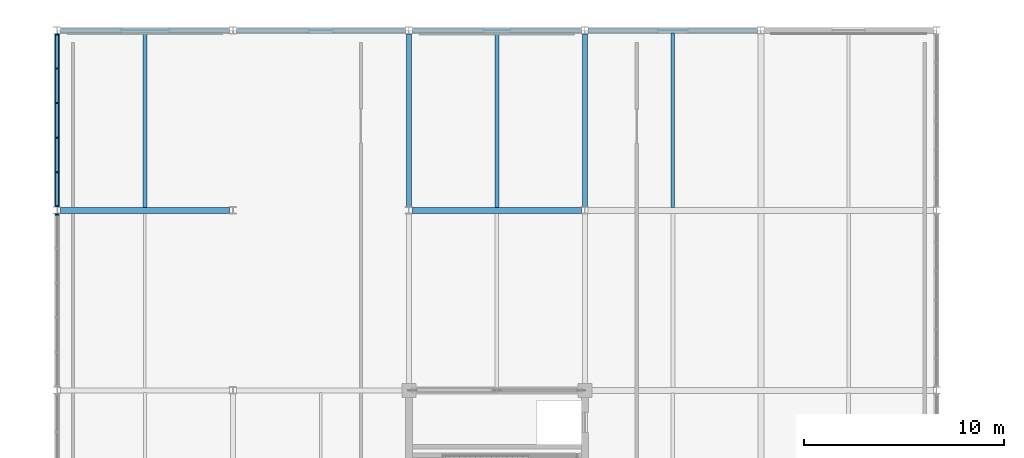
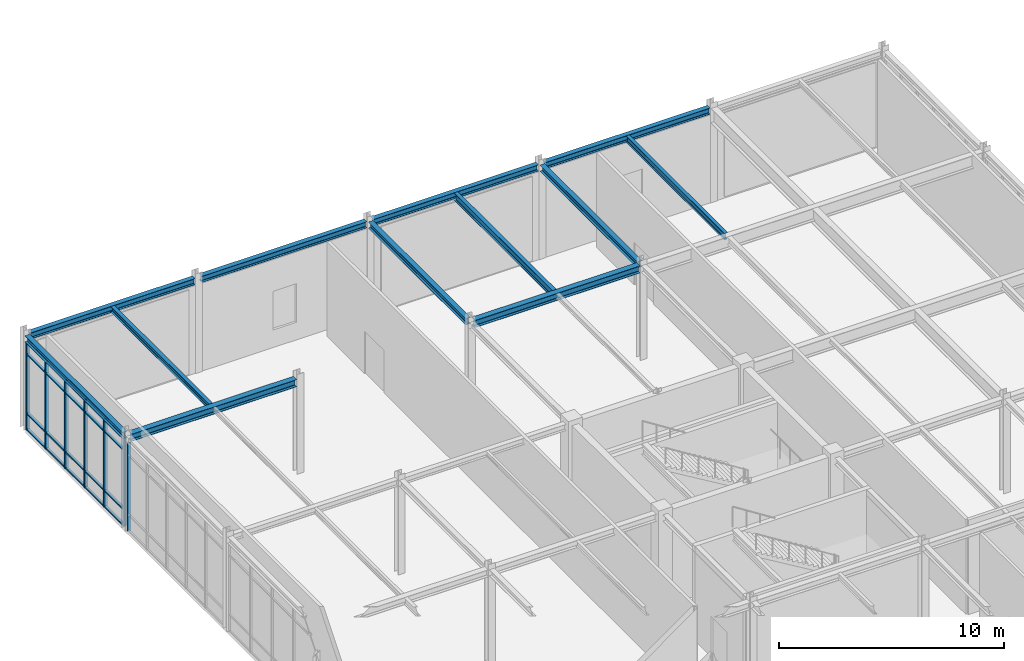
# One storey, part 44 of 108: 27 members, 12 beams, 2 elements without a shape of their own.
"""IFC4 building model written with IfcOpenShell, lengths in metres."""

import ifcopenshell
import ifcopenshell.guid

model = None  # the IFC model being written
_history = None  # IfcOwnerHistory: only IFC2X3 demands one
_inside = {}  # id of a spatial element -> (the spatial element, [elements in it])
_under = {}  # id of a project, library or spatial element -> (it, [spatial elements below it])
_declared = {}  # id of a project -> (the project, [libraries it declares])
_typed = {}  # id of a type object -> (the type object, [elements of that type])
_made_of = {}  # id of a material, layer set ... -> (it, [elements and type objects made of it])


def new_model(schema):
    """Start an empty IFC model of exactly this schema.

    Asked for "IFC4X3", IfcOpenShell would pick the latest addendum, in which some entities
    have other attributes; the version numbers below select the first issue.
    IFC2X3 requires an IfcOwnerHistory on every rooted entity: one is made here for all.
    """
    global model, _history
    if schema == "IFC4X3":
        model = ifcopenshell.file(schema_version=(4, 3, 0, 0))
    else:
        model = ifcopenshell.file(schema=schema)
    _inside.clear()
    _under.clear()
    _declared.clear()
    _typed.clear()
    _made_of.clear()
    _history = None
    if model.schema == "IFC2X3":
        org = make("IfcOrganization", Name="unknown")
        user = make(
            "IfcPersonAndOrganization",
            ThePerson=make("IfcPerson", FamilyName="unknown"),
            TheOrganization=org,
        )
        app = make(
            "IfcApplication",
            ApplicationDeveloper=org,
            Version="unknown",
            ApplicationFullName="unknown",
            ApplicationIdentifier="unknown",
        )
        _history = make(
            "IfcOwnerHistory",
            OwningUser=user,
            OwningApplication=app,
            ChangeAction="ADDED",
            CreationDate=0,
        )
    return model


def make(cls, **values):
    """One entity of the class cls with the attributes given. An attribute that is None is left unset."""
    return model.create_entity(
        cls, **{name: value for name, value in values.items() if value is not None}
    )


def rooted(cls, **values):
    """An entity with a GlobalId (a new one), such as an element, a storey or a relation."""
    return make(cls, GlobalId=ifcopenshell.guid.new(), OwnerHistory=_history, **values)


def si_unit(unit_type, name, prefix=None):
    """IfcSIUnit, for example si_unit("LENGTHUNIT", "METRE", prefix="MILLI")."""
    return make("IfcSIUnit", UnitType=unit_type, Prefix=prefix, Name=name)


def assignment(units):
    """IfcUnitAssignment: the units of a project."""
    return None if units is None else make("IfcUnitAssignment", Units=units)


def point(xyz):
    """IfcCartesianPoint."""
    return None if xyz is None else make("IfcCartesianPoint", Coordinates=xyz)


def direction(xyz):
    """IfcDirection."""
    return None if xyz is None else make("IfcDirection", DirectionRatios=xyz)


def frame(location, z_axis=None, x_axis=None):
    """IfcAxis2Placement3D, a coordinate frame: its origin and axes. An axis left out is left unset."""
    return make(
        "IfcAxis2Placement3D",
        Location=point(location),
        Axis=direction(z_axis),
        RefDirection=direction(x_axis),
    )


def frame_2d(location, x_axis=None):
    """IfcAxis2Placement2D, a coordinate frame in the plane: its origin and x axis."""
    return make(
        "IfcAxis2Placement2D", Location=point(location), RefDirection=direction(x_axis)
    )


def origin():
    """The frame at (0, 0, 0) with its axes left unset."""
    return frame((0.0, 0.0, 0.0))


def origin_2d():
    """The frame at (0, 0) in the plane with its x axis left unset."""
    return frame_2d((0.0, 0.0))


def place(relative_to, where):
    """IfcLocalPlacement: puts the frame where relative to a parent placement (None: the world)."""
    return make(
        "IfcLocalPlacement", PlacementRelTo=relative_to, RelativePlacement=where
    )


def context(
    kind, dimensions, precision=None, world=None, true_north=None, identifier=None
):
    """IfcGeometricRepresentationContext, for example the 3D "Model" context."""
    return make(
        "IfcGeometricRepresentationContext",
        ContextIdentifier=identifier,
        ContextType=kind,
        CoordinateSpaceDimension=dimensions,
        Precision=precision,
        WorldCoordinateSystem=world,
        TrueNorth=true_north,
    )


def subcontext(parent, identifier, kind, view, scale=None):
    """IfcGeometricRepresentationSubContext, for example "Body" below "Model"."""
    return make(
        "IfcGeometricRepresentationSubContext",
        ContextIdentifier=identifier,
        ContextType=kind,
        ParentContext=parent,
        TargetScale=scale,
        TargetView=view,
    )


def project(units=None, contexts=None):
    """IfcProject with its units and contexts."""
    return rooted(
        "IfcProject",
        Name="project",
        RepresentationContexts=contexts,
        UnitsInContext=assignment(units),
    )


def spatial(cls, under=None, at=None, **own):
    """A site, building, storey or space (cls), placed at a placement, below another one or the project."""
    s = rooted(cls, ObjectPlacement=at, **own)
    if under is not None:
        _under.setdefault(under.id(), (under, []))[1].append(s)
    return s


def profile(cls, at=None, kind="AREA", **sizes):
    """A parametric profile (cls). Its sizes go by their IFC names, for example OverallWidth=200.0."""
    return make(cls, ProfileType=kind, Position=at, **sizes)


def rectangle(**sizes):
    """IfcRectangleProfileDef."""
    return profile("IfcRectangleProfileDef", **sizes)


def i_section(**sizes):
    """IfcIShapeProfileDef."""
    return profile("IfcIShapeProfileDef", **sizes)


def extrude(swept, where, along, depth):
    """IfcExtrudedAreaSolid: the profile swept, set in the frame where, extruded along a direction by depth."""
    return make(
        "IfcExtrudedAreaSolid",
        SweptArea=swept,
        Position=where,
        ExtrudedDirection=direction(along),
        Depth=depth,
    )


def shape(context_of_items, identifier, shape_type, items):
    """IfcShapeRepresentation: the items that make up one representation, for example the "Body"."""
    return make(
        "IfcShapeRepresentation",
        ContextOfItems=context_of_items,
        RepresentationIdentifier=identifier,
        RepresentationType=shape_type,
        Items=items,
    )


def material(Name=None, Category=None):
    """IfcMaterial."""
    return make("IfcMaterial", Name=Name, Category=Category)


def material_profile(
    of_material, cross_section, Name=None, Category=None, Priority=None
):
    """IfcMaterialProfile: a cross section and its material."""
    return make(
        "IfcMaterialProfile",
        Name=Name,
        Material=of_material,
        Profile=cross_section,
        Priority=Priority,
        Category=Category,
    )


def profile_set(profiles, Name=None, composite=None):
    """IfcMaterialProfileSet."""
    return make(
        "IfcMaterialProfileSet",
        Name=Name,
        MaterialProfiles=profiles,
        CompositeProfile=composite,
    )


def made_of(thing, what):
    """Note that an element or type object is made of a material, layer set ...; save() writes the relation."""
    if what is not None:
        _made_of.setdefault(what.id(), (what, []))[1].append(thing)
    return thing


def type_object(cls, material=None, **own):
    """A type object (cls), such as IfcWallType, which elements share."""
    return made_of(rooted(cls, **own), material)


def element(
    cls,
    number,
    at=None,
    inside=None,
    cuts=None,
    type_object=None,
    material=None,
    context=None,
    identifier="Body",
    shape_type=None,
    held_by="IfcProductDefinitionShape",
    body=None,
    shapes=None,
    **own,
):
    """One element of the class cls, such as IfcWall. Its Tag is "e" and its number.

    at: its placement. inside: the storey or other place that contains it. cuts: it is an
    opening in that element (IfcRelVoidsElement). A single representation is given by context,
    identifier, shape_type and body (its items); several are given by shapes. held_by: the class
    of the entity that holds the representations. save() writes the other relations.
    """
    e = rooted(cls, Tag="e%d" % number, ObjectPlacement=at, **own)
    if body is not None:
        shapes = [shape(context, identifier, shape_type, body)]
    if shapes is not None:
        e.Representation = make(held_by, Representations=shapes)
    if inside is not None:
        _inside.setdefault(inside.id(), (inside, []))[1].append(e)
    if cuts is not None:
        rooted(
            "IfcRelVoidsElement", RelatingBuildingElement=cuts, RelatedOpeningElement=e
        )
    if type_object is not None:
        _typed.setdefault(type_object.id(), (type_object, []))[1].append(e)
    return made_of(e, material)


def aggregate(whole, parts):
    """IfcRelAggregates: a whole, such as a stair, and the parts it consists of."""
    return rooted("IfcRelAggregates", RelatingObject=whole, RelatedObjects=parts)


def save(model, path):
    """Write the relations noted so far, then the file.

    IfcRelAggregates (storeys below a building ...), IfcRelContainedInSpatialStructure (elements
    in a storey), IfcRelDefinesByType, IfcRelAssociatesMaterial and IfcRelDeclares: one each for
    every whole, place, type object, material and project.
    """
    for whole, parts in _under.values():
        aggregate(whole, parts)
    for where, things in _inside.values():
        rooted(
            "IfcRelContainedInSpatialStructure",
            RelatedElements=things,
            RelatingStructure=where,
        )
    for kind, things in _typed.values():
        rooted("IfcRelDefinesByType", RelatedObjects=things, RelatingType=kind)
    for what, things in _made_of.values():
        rooted("IfcRelAssociatesMaterial", RelatedObjects=things, RelatingMaterial=what)
    for by, libraries in _declared.values():
        rooted("IfcRelDeclares", RelatingContext=by, RelatedDefinitions=libraries)
    model.write(path)


model = new_model("IFC4")

# Units and contexts
model_context = context("Model", 3, precision=1e-05, world=origin(), true_north=direction((0.0, 1.0)))
body_context = subcontext(model_context, "Body", "Model", "MODEL_VIEW")
ifc_project = project(units=[si_unit("LENGTHUNIT", "METRE"), si_unit("AREAUNIT", "SQUARE_METRE"), si_unit("VOLUMEUNIT", "CUBIC_METRE"), si_unit("PLANEANGLEUNIT", "RADIAN"), si_unit("MASSUNIT", "GRAM", prefix="KILO")], contexts=[model_context])

# Site, building, storey
site_placement = place(None, origin())
site = spatial("IfcSite", under=ifc_project, at=site_placement, CompositionType="ELEMENT")
building_placement = place(site_placement, origin())
building = spatial("IfcBuilding", under=site, at=building_placement, Name="Zhaolan Boulevard Law Courts", CompositionType="ELEMENT")
storey_placement = place(building_placement, frame((0.0, 0.0, 10.800048828125)))
storey = spatial("IfcBuildingStorey", under=building, at=storey_placement, Name="L02", CompositionType="ELEMENT", Elevation=10.800048828125)

# Curtain wall, member
ifc_material_1 = material(Name="Thermally broken aluminium and low-E glazing", Category="aluminium")
curtain_wall_type_1 = type_object("IfcCurtainWallType", Name="CURTAIN WALL M21", PredefinedType="USERDEFINED", material=ifc_material_1)
curtain_wall_1_placement = place(storey_placement, origin())
curtain_wall_1 = element("IfcCurtainWall", 1, at=curtain_wall_1_placement, inside=storey, type_object=curtain_wall_type_1, Name="Curtain Wall CW-L02-117", ObjectType="CURTAIN WALL", PredefinedType="USERDEFINED")
ifc_material_2 = material(Name="Fluorocarbon-coated aluminium 6063-T6", Category="aluminium")
ifc_material_profile_1 = material_profile(ifc_material_2, rectangle(XDim=0.179931640625, YDim=0.06494140625, at=origin_2d()), Name="AL65x180")
ifc_profile_set_1 = profile_set([ifc_material_profile_1], Name="Fluorocarbon-coated aluminium 6063-T6")
member_type_1 = type_object("IfcMemberType", Name="CWMULLION 65X180", PredefinedType="MULLION", material=ifc_profile_set_1)
member_1_placement = place(storey_placement, frame((0.0, 102.79052734375, 0.0), z_axis=(0.0, 0.0, 1.0), x_axis=(1.0, 0.0, 0.0)))
member_1 = element("IfcMember", 2, at=member_1_placement, type_object=member_type_1, Name="CW-L02-117 mullion 1", PredefinedType="MULLION", context=body_context, shape_type="SweptSolid", body=[
    extrude(rectangle(XDim=0.179931640625, YDim=0.06494140625, at=origin_2d()), origin(), (0.0, 0.0, 1.0), 4.762939453125),
])
aggregate(curtain_wall_1, [member_1])

# Curtain wall, members
ifc_material_3 = material(Name="Thermally broken aluminium and low-E glazing", Category="aluminium")
curtain_wall_type_2 = type_object("IfcCurtainWallType", Name="CURTAIN WALL M22", PredefinedType="USERDEFINED", material=ifc_material_3)
curtain_wall_2_placement = place(storey_placement, origin())
curtain_wall_2 = element("IfcCurtainWall", 3, at=curtain_wall_2_placement, inside=storey, type_object=curtain_wall_type_2, Name="Curtain Wall CW-L02-118", ObjectType="CURTAIN WALL", PredefinedType="USERDEFINED")
member_2_placement = place(storey_placement, frame((0.0, 111.79052734375, 0.0), z_axis=(0.0, 0.0, 1.0), x_axis=(1.0, 0.0, 0.0)))
member_2 = element("IfcMember", 4, at=member_2_placement, type_object=member_type_1, Name="CW-L02-118 mullion 1", PredefinedType="MULLION", context=body_context, shape_type="SweptSolid", body=[
    extrude(rectangle(XDim=0.179931640625, YDim=0.06494140625, at=origin_2d()), origin(), (0.0, 0.0, 1.0), 4.762939453125),
])
member_3_placement = place(storey_placement, frame((0.0, 110.09375, 0.0), z_axis=(0.0, 0.0, 1.0), x_axis=(1.0, 0.0, 0.0)))
member_3 = element("IfcMember", 5, at=member_3_placement, type_object=member_type_1, Name="CW-L02-118 mullion 2", PredefinedType="MULLION", context=body_context, shape_type="SweptSolid", body=[
    extrude(rectangle(XDim=0.179931640625, YDim=0.06494140625, at=origin_2d()), origin(), (0.0, 0.0, 1.0), 4.762939453125),
])
member_4_placement = place(storey_placement, frame((0.0, 108.364501953125, 0.0), z_axis=(0.0, 0.0, 1.0), x_axis=(1.0, 0.0, 0.0)))
member_4 = element("IfcMember", 6, at=member_4_placement, type_object=member_type_1, Name="CW-L02-118 mullion 3", PredefinedType="MULLION", context=body_context, shape_type="SweptSolid", body=[
    extrude(rectangle(XDim=0.179931640625, YDim=0.06494140625, at=origin_2d()), origin(), (0.0, 0.0, 1.0), 4.762939453125),
])
member_5_placement = place(storey_placement, frame((0.0, 106.635498046875, 0.0), z_axis=(0.0, 0.0, 1.0), x_axis=(1.0, 0.0, 0.0)))
member_5 = element("IfcMember", 7, at=member_5_placement, type_object=member_type_1, Name="CW-L02-118 mullion 4", PredefinedType="MULLION", context=body_context, shape_type="SweptSolid", body=[
    extrude(rectangle(XDim=0.179931640625, YDim=0.06494140625, at=origin_2d()), origin(), (0.0, 0.0, 1.0), 4.762939453125),
])
member_6_placement = place(storey_placement, frame((0.0, 104.90625, 0.0), z_axis=(0.0, 0.0, 1.0), x_axis=(1.0, 0.0, 0.0)))
member_6 = element("IfcMember", 8, at=member_6_placement, type_object=member_type_1, Name="CW-L02-118 mullion 5", PredefinedType="MULLION", context=body_context, shape_type="SweptSolid", body=[
    extrude(rectangle(XDim=0.179931640625, YDim=0.06494140625, at=origin_2d()), origin(), (0.0, 0.0, 1.0), 4.762939453125),
])
member_7_placement = place(storey_placement, frame((0.0, 103.20947265625, 0.0), z_axis=(0.0, 0.0, 1.0), x_axis=(1.0, 0.0, 0.0)))
member_7 = element("IfcMember", 9, at=member_7_placement, type_object=member_type_1, Name="CW-L02-118 mullion 6", PredefinedType="MULLION", context=body_context, shape_type="SweptSolid", body=[
    extrude(rectangle(XDim=0.179931640625, YDim=0.06494140625, at=origin_2d()), origin(), (0.0, 0.0, 1.0), 4.762939453125),
])
ifc_material_4 = material(Name="Fluorocarbon-coated aluminium 6063-T6", Category="aluminium")
ifc_material_profile_2 = material_profile(ifc_material_4, rectangle(XDim=0.139892578125, YDim=0.06494140625, at=origin_2d()), Name="AL65x140")
ifc_profile_set_2 = profile_set([ifc_material_profile_2], Name="Fluorocarbon-coated aluminium 6063-T6")
member_type_2 = type_object("IfcMemberType", Name="CWTRANSOM 65X140", PredefinedType="USERDEFINED", material=ifc_profile_set_2)
member_8_placement = place(storey_placement, frame((0.0, 111.758056640625, 0.032470703125), z_axis=(0.0, -1.0, 0.0), x_axis=(1.0, 0.0, 0.0)))
member_8 = element("IfcMember", 10, at=member_8_placement, type_object=member_type_2, Name="CW-L02-118 transom 1.1", ObjectType="TRANSOM", PredefinedType="USERDEFINED", context=body_context, shape_type="SweptSolid", body=[
    extrude(rectangle(XDim=0.139892578125, YDim=0.06494140625, at=origin_2d()), origin(), (0.0, 0.0, 1.0), 1.6318359375),
])
member_9_placement = place(storey_placement, frame((0.0, 111.758056640625, 0.89990234375), z_axis=(0.0, -1.0, 0.0), x_axis=(1.0, 0.0, 0.0)))
member_9 = element("IfcMember", 11, at=member_9_placement, type_object=member_type_2, Name="CW-L02-118 transom 1.2", ObjectType="TRANSOM", PredefinedType="USERDEFINED", context=body_context, shape_type="SweptSolid", body=[
    extrude(rectangle(XDim=0.139892578125, YDim=0.06494140625, at=origin_2d()), origin(), (0.0, 0.0, 1.0), 1.6318359375),
])
member_10_placement = place(storey_placement, frame((0.0, 111.758056640625, 4.113037109375), z_axis=(0.0, -1.0, 0.0), x_axis=(1.0, 0.0, 0.0)))
member_10 = element("IfcMember", 12, at=member_10_placement, type_object=member_type_2, Name="CW-L02-118 transom 1.3", ObjectType="TRANSOM", PredefinedType="USERDEFINED", context=body_context, shape_type="SweptSolid", body=[
    extrude(rectangle(XDim=0.139892578125, YDim=0.06494140625, at=origin_2d()), origin(), (0.0, 0.0, 1.0), 1.6318359375),
])
member_11_placement = place(storey_placement, frame((0.0, 111.758056640625, 4.73046875), z_axis=(0.0, -1.0, 0.0), x_axis=(1.0, 0.0, 0.0)))
member_11 = element("IfcMember", 13, at=member_11_placement, type_object=member_type_2, Name="CW-L02-118 transom 1.4", ObjectType="TRANSOM", PredefinedType="USERDEFINED", context=body_context, shape_type="SweptSolid", body=[
    extrude(rectangle(XDim=0.139892578125, YDim=0.06494140625, at=origin_2d()), origin(), (0.0, 0.0, 1.0), 1.6318359375),
])
member_12_placement = place(storey_placement, frame((0.0, 110.061279296875, 0.032470703125), z_axis=(0.0, -1.0, 0.0), x_axis=(1.0, 0.0, 0.0)))
member_12 = element("IfcMember", 14, at=member_12_placement, type_object=member_type_2, Name="CW-L02-118 transom 2.1", ObjectType="TRANSOM", PredefinedType="USERDEFINED", context=body_context, shape_type="SweptSolid", body=[
    extrude(rectangle(XDim=0.139892578125, YDim=0.06494140625, at=origin_2d()), origin(), (0.0, 0.0, 1.0), 1.6640625),
])
member_13_placement = place(storey_placement, frame((0.0, 110.061279296875, 0.89990234375), z_axis=(0.0, -1.0, 0.0), x_axis=(1.0, 0.0, 0.0)))
member_13 = element("IfcMember", 15, at=member_13_placement, type_object=member_type_2, Name="CW-L02-118 transom 2.2", ObjectType="TRANSOM", PredefinedType="USERDEFINED", context=body_context, shape_type="SweptSolid", body=[
    extrude(rectangle(XDim=0.139892578125, YDim=0.06494140625, at=origin_2d()), origin(), (0.0, 0.0, 1.0), 1.6640625),
])
member_14_placement = place(storey_placement, frame((0.0, 110.061279296875, 4.113037109375), z_axis=(0.0, -1.0, 0.0), x_axis=(1.0, 0.0, 0.0)))
member_14 = element("IfcMember", 16, at=member_14_placement, type_object=member_type_2, Name="CW-L02-118 transom 2.3", ObjectType="TRANSOM", PredefinedType="USERDEFINED", context=body_context, shape_type="SweptSolid", body=[
    extrude(rectangle(XDim=0.139892578125, YDim=0.06494140625, at=origin_2d()), origin(), (0.0, 0.0, 1.0), 1.6640625),
])
member_15_placement = place(storey_placement, frame((0.0, 110.061279296875, 4.73046875), z_axis=(0.0, -1.0, 0.0), x_axis=(1.0, 0.0, 0.0)))
member_15 = element("IfcMember", 17, at=member_15_placement, type_object=member_type_2, Name="CW-L02-118 transom 2.4", ObjectType="TRANSOM", PredefinedType="USERDEFINED", context=body_context, shape_type="SweptSolid", body=[
    extrude(rectangle(XDim=0.139892578125, YDim=0.06494140625, at=origin_2d()), origin(), (0.0, 0.0, 1.0), 1.6640625),
])
member_16_placement = place(storey_placement, frame((0.0, 108.33203125, 0.032470703125), z_axis=(0.0, -1.0, 0.0), x_axis=(1.0, 0.0, 0.0)))
member_16 = element("IfcMember", 18, at=member_16_placement, type_object=member_type_2, Name="CW-L02-118 transom 3.1", ObjectType="TRANSOM", PredefinedType="USERDEFINED", context=body_context, shape_type="SweptSolid", body=[
    extrude(rectangle(XDim=0.139892578125, YDim=0.06494140625, at=origin_2d()), origin(), (0.0, 0.0, 1.0), 1.6640625),
])
member_17_placement = place(storey_placement, frame((0.0, 108.33203125, 0.89990234375), z_axis=(0.0, -1.0, 0.0), x_axis=(1.0, 0.0, 0.0)))
member_17 = element("IfcMember", 19, at=member_17_placement, type_object=member_type_2, Name="CW-L02-118 transom 3.2", ObjectType="TRANSOM", PredefinedType="USERDEFINED", context=body_context, shape_type="SweptSolid", body=[
    extrude(rectangle(XDim=0.139892578125, YDim=0.06494140625, at=origin_2d()), origin(), (0.0, 0.0, 1.0), 1.6640625),
])
member_18_placement = place(storey_placement, frame((0.0, 108.33203125, 4.113037109375), z_axis=(0.0, -1.0, 0.0), x_axis=(1.0, 0.0, 0.0)))
member_18 = element("IfcMember", 20, at=member_18_placement, type_object=member_type_2, Name="CW-L02-118 transom 3.3", ObjectType="TRANSOM", PredefinedType="USERDEFINED", context=body_context, shape_type="SweptSolid", body=[
    extrude(rectangle(XDim=0.139892578125, YDim=0.06494140625, at=origin_2d()), origin(), (0.0, 0.0, 1.0), 1.6640625),
])
member_19_placement = place(storey_placement, frame((0.0, 108.33203125, 4.73046875), z_axis=(0.0, -1.0, 0.0), x_axis=(1.0, 0.0, 0.0)))
member_19 = element("IfcMember", 21, at=member_19_placement, type_object=member_type_2, Name="CW-L02-118 transom 3.4", ObjectType="TRANSOM", PredefinedType="USERDEFINED", context=body_context, shape_type="SweptSolid", body=[
    extrude(rectangle(XDim=0.139892578125, YDim=0.06494140625, at=origin_2d()), origin(), (0.0, 0.0, 1.0), 1.6640625),
])
member_20_placement = place(storey_placement, frame((0.0, 106.602783203125, 0.032470703125), z_axis=(0.0, -1.0, 0.0), x_axis=(1.0, 0.0, 0.0)))
member_20 = element("IfcMember", 22, at=member_20_placement, type_object=member_type_2, Name="CW-L02-118 transom 4.1", ObjectType="TRANSOM", PredefinedType="USERDEFINED", context=body_context, shape_type="SweptSolid", body=[
    extrude(rectangle(XDim=0.139892578125, YDim=0.06494140625, at=origin_2d()), origin(), (0.0, 0.0, 1.0), 1.6640625),
])
member_21_placement = place(storey_placement, frame((0.0, 106.602783203125, 0.89990234375), z_axis=(0.0, -1.0, 0.0), x_axis=(1.0, 0.0, 0.0)))
member_21 = element("IfcMember", 23, at=member_21_placement, type_object=member_type_2, Name="CW-L02-118 transom 4.2", ObjectType="TRANSOM", PredefinedType="USERDEFINED", context=body_context, shape_type="SweptSolid", body=[
    extrude(rectangle(XDim=0.139892578125, YDim=0.06494140625, at=origin_2d()), origin(), (0.0, 0.0, 1.0), 1.6640625),
])
member_22_placement = place(storey_placement, frame((0.0, 106.602783203125, 4.113037109375), z_axis=(0.0, -1.0, 0.0), x_axis=(1.0, 0.0, 0.0)))
member_22 = element("IfcMember", 24, at=member_22_placement, type_object=member_type_2, Name="CW-L02-118 transom 4.3", ObjectType="TRANSOM", PredefinedType="USERDEFINED", context=body_context, shape_type="SweptSolid", body=[
    extrude(rectangle(XDim=0.139892578125, YDim=0.06494140625, at=origin_2d()), origin(), (0.0, 0.0, 1.0), 1.6640625),
])
member_23_placement = place(storey_placement, frame((0.0, 106.602783203125, 4.73046875), z_axis=(0.0, -1.0, 0.0), x_axis=(1.0, 0.0, 0.0)))
member_23 = element("IfcMember", 25, at=member_23_placement, type_object=member_type_2, Name="CW-L02-118 transom 4.4", ObjectType="TRANSOM", PredefinedType="USERDEFINED", context=body_context, shape_type="SweptSolid", body=[
    extrude(rectangle(XDim=0.139892578125, YDim=0.06494140625, at=origin_2d()), origin(), (0.0, 0.0, 1.0), 1.6640625),
])
member_24_placement = place(storey_placement, frame((0.0, 104.873779296875, 0.032470703125), z_axis=(0.0, -1.0, 0.0), x_axis=(1.0, 0.0, 0.0)))
member_24 = element("IfcMember", 26, at=member_24_placement, type_object=member_type_2, Name="CW-L02-118 transom 5.1", ObjectType="TRANSOM", PredefinedType="USERDEFINED", context=body_context, shape_type="SweptSolid", body=[
    extrude(rectangle(XDim=0.139892578125, YDim=0.06494140625, at=origin_2d()), origin(), (0.0, 0.0, 1.0), 1.6318359375),
])
member_25_placement = place(storey_placement, frame((0.0, 104.873779296875, 0.89990234375), z_axis=(0.0, -1.0, 0.0), x_axis=(1.0, 0.0, 0.0)))
member_25 = element("IfcMember", 27, at=member_25_placement, type_object=member_type_2, Name="CW-L02-118 transom 5.2", ObjectType="TRANSOM", PredefinedType="USERDEFINED", context=body_context, shape_type="SweptSolid", body=[
    extrude(rectangle(XDim=0.139892578125, YDim=0.06494140625, at=origin_2d()), origin(), (0.0, 0.0, 1.0), 1.6318359375),
])
member_26_placement = place(storey_placement, frame((0.0, 104.873779296875, 4.113037109375), z_axis=(0.0, -1.0, 0.0), x_axis=(1.0, 0.0, 0.0)))
member_26 = element("IfcMember", 28, at=member_26_placement, type_object=member_type_2, Name="CW-L02-118 transom 5.3", ObjectType="TRANSOM", PredefinedType="USERDEFINED", context=body_context, shape_type="SweptSolid", body=[
    extrude(rectangle(XDim=0.139892578125, YDim=0.06494140625, at=origin_2d()), origin(), (0.0, 0.0, 1.0), 1.6318359375),
])
member_27_placement = place(storey_placement, frame((0.0, 104.873779296875, 4.73046875), z_axis=(0.0, -1.0, 0.0), x_axis=(1.0, 0.0, 0.0)))
member_27 = element("IfcMember", 29, at=member_27_placement, type_object=member_type_2, Name="CW-L02-118 transom 5.4", ObjectType="TRANSOM", PredefinedType="USERDEFINED", context=body_context, shape_type="SweptSolid", body=[
    extrude(rectangle(XDim=0.139892578125, YDim=0.06494140625, at=origin_2d()), origin(), (0.0, 0.0, 1.0), 1.6318359375),
])
aggregate(curtain_wall_2, [member_2, member_3, member_4, member_5, member_6, member_7, member_8, member_9, member_10, member_11, member_12, member_13, member_14, member_15, member_16, member_17, member_18, member_19, member_20, member_21, member_22, member_23, member_24, member_25, member_26, member_27])

# Beams
ifc_material_5 = material(Name="Structural steel Q355B", Category="steel")
ifc_material_profile_3 = material_profile(ifc_material_5, i_section(OverallWidth=0.25, OverallDepth=0.340087890625, WebThickness=0.009033203125, FlangeThickness=0.013916015625, FilletRadius=0.01611328125, at=origin_2d()), Name="HM340x250")
ifc_profile_set_3 = profile_set([ifc_material_profile_3], Name="Structural steel Q355B")
beam_type_1 = type_object("IfcBeamType", Name="GIRDER HM340", PredefinedType="BEAM", material=ifc_profile_set_3)
for number, where, z_axis, x_axis, name in (
    (30, (0.0, 103.1708984375, 4.947998046875), (0.0, 1.0, 0.0), (-1.0, 0.0, 0.0), "Beam BY-L03-1-P-Q"),
    (31, (17.60009765625, 103.1708984375, 4.947998046875), (0.0, 1.0, 0.0), (-1.0, 0.0, 0.0), "Beam BY-L03-3-P-Q"),
    (32, (26.39990234375, 103.1708984375, 4.947998046875), (0.0, 1.0, 0.0), (-1.0, 0.0, 0.0), "Beam BY-L03-4-P-Q"),
):
    element("IfcBeam", number, at=place(storey_placement, frame(where, z_axis=z_axis, x_axis=x_axis)), inside=storey, type_object=beam_type_1, Name=name, PredefinedType="BEAM", context=body_context, shape_type="SweptSolid", body=[
        extrude(i_section(OverallWidth=0.25, OverallDepth=0.340087890625, WebThickness=0.009033203125, FlangeThickness=0.013916015625, FilletRadius=0.01611328125, at=origin_2d()), origin(), (0.0, 0.0, 1.0), 8.658203125),
    ])
ifc_material_6 = material(Name="Structural steel Q355B", Category="steel")
ifc_material_profile_4 = material_profile(ifc_material_6, i_section(OverallWidth=0.300048828125, OverallDepth=0.389892578125, WebThickness=0.010009765625, FlangeThickness=0.01611328125, FilletRadius=0.01806640625, at=origin_2d()), Name="HM390x300")
ifc_profile_set_4 = profile_set([ifc_material_profile_4], Name="Structural steel Q355B")
beam_type_2 = type_object("IfcBeamType", Name="GIRDER HM390", PredefinedType="BEAM", material=ifc_profile_set_4)
for number, where, z_axis, x_axis, name in (
    (33, (0.1708984375, 103.0, 4.9228515625), (1.0, 0.0, 0.0), (0.0, 1.0, 0.0), "Beam BX-L03-1-2-P"),
    (34, (17.77099609375, 103.0, 4.9228515625), (1.0, 0.0, 0.0), (0.0, 1.0, 0.0), "Beam BX-L03-3-4-P"),
):
    element("IfcBeam", number, at=place(storey_placement, frame(where, z_axis=z_axis, x_axis=x_axis)), inside=storey, type_object=beam_type_2, Name=name, PredefinedType="BEAM", context=body_context, shape_type="SweptSolid", body=[
        extrude(i_section(OverallWidth=0.300048828125, OverallDepth=0.389892578125, WebThickness=0.010009765625, FlangeThickness=0.01611328125, FilletRadius=0.01806640625, at=origin_2d()), origin(), (0.0, 0.0, 1.0), 8.4580078125),
    ])
ifc_material_7 = material(Name="Structural steel Q355B", Category="steel")
ifc_material_profile_5 = material_profile(ifc_material_7, i_section(OverallWidth=0.199951171875, OverallDepth=0.2939453125, WebThickness=0.008056640625, FlangeThickness=0.011962890625, FilletRadius=0.01611328125, at=origin_2d()), Name="HM294x200")
ifc_profile_set_5 = profile_set([ifc_material_profile_5], Name="Structural steel Q355B")
beam_type_3 = type_object("IfcBeamType", Name="JOIST HM294", PredefinedType="JOIST", material=ifc_profile_set_5)
beam_1_placement = place(storey_placement, frame((4.39990234375, 103.14599609375, 4.970947265625), z_axis=(0.0, 1.0, 0.0), x_axis=(-1.0, 0.0, 0.0)))
element("IfcBeam", 35, at=beam_1_placement, inside=storey, type_object=beam_type_3, Name="Composite Joist J-L03-1P", PredefinedType="JOIST", context=body_context, shape_type="SweptSolid", body=[
    extrude(i_section(OverallWidth=0.199951171875, OverallDepth=0.2939453125, WebThickness=0.008056640625, FlangeThickness=0.011962890625, FilletRadius=0.01611328125, at=origin_2d()), origin(), (0.0, 0.0, 1.0), 8.73291015625),
])
ifc_material_8 = material(Name="Structural steel Q355B", Category="steel")
ifc_material_profile_6 = material_profile(ifc_material_8, i_section(OverallWidth=0.175048828125, OverallDepth=0.35009765625, WebThickness=0.007080078125, FlangeThickness=0.010986328125, FilletRadius=0.012939453125, at=origin_2d()), Name="HN350x175")
ifc_profile_set_6 = profile_set([ifc_material_profile_6], Name="Structural steel Q355B")
beam_type_4 = type_object("IfcBeamType", Name="JOIST HN350", PredefinedType="JOIST", material=ifc_profile_set_6)
beam_2_placement = place(storey_placement, frame((30.800048828125, 103.14599609375, 4.94287109375), z_axis=(0.0, 1.0, 0.0), x_axis=(-1.0, 0.0, 0.0)))
element("IfcBeam", 36, at=beam_2_placement, inside=storey, type_object=beam_type_4, Name="Composite Joist J-L03-4P", PredefinedType="JOIST", context=body_context, shape_type="SweptSolid", body=[
    extrude(i_section(OverallWidth=0.175048828125, OverallDepth=0.35009765625, WebThickness=0.007080078125, FlangeThickness=0.010986328125, FilletRadius=0.012939453125, at=origin_2d()), origin(), (0.0, 0.0, 1.0), 8.73291015625),
])
ifc_material_9 = material(Name="Structural steel Q355B", Category="steel")
ifc_material_profile_7 = material_profile(ifc_material_9, i_section(OverallWidth=0.199951171875, OverallDepth=0.39990234375, WebThickness=0.008056640625, FlangeThickness=0.012939453125, FilletRadius=0.013916015625, at=origin_2d()), Name="HN400x200")
ifc_profile_set_7 = profile_set([ifc_material_profile_7], Name="Structural steel Q355B")
beam_type_5 = type_object("IfcBeamType", Name="JOIST HN400", PredefinedType="JOIST", material=ifc_profile_set_7)
beam_3_placement = place(storey_placement, frame((22.0, 103.14599609375, 4.91796875), z_axis=(0.0, 1.0, 0.0), x_axis=(-1.0, 0.0, 0.0)))
element("IfcBeam", 37, at=beam_3_placement, inside=storey, type_object=beam_type_5, Name="Composite Joist J-L03-3P", PredefinedType="JOIST", context=body_context, shape_type="SweptSolid", body=[
    extrude(i_section(OverallWidth=0.199951171875, OverallDepth=0.39990234375, WebThickness=0.008056640625, FlangeThickness=0.012939453125, FilletRadius=0.013916015625, at=origin_2d()), origin(), (0.0, 0.0, 1.0), 8.73291015625),
])
ifc_material_10 = material(Name="Structural steel Q355B", Category="steel")
ifc_material_profile_8 = material_profile(ifc_material_10, i_section(OverallWidth=0.25, OverallDepth=0.340087890625, WebThickness=0.009033203125, FlangeThickness=0.013916015625, FilletRadius=0.01611328125, at=origin_2d()), Name="HM340x250")
ifc_profile_set_8 = profile_set([ifc_material_profile_8], Name="Structural steel Q355B")
beam_type_6 = type_object("IfcBeamType", Name="SPANDREL HM340", PredefinedType="SPANDREL", material=ifc_profile_set_8)
for number, where, z_axis, x_axis, name in (
    (38, (0.1708984375, 112.0, 4.947998046875), (1.0, 0.0, 0.0), (0.0, 1.0, 0.0), "Beam BX-L03-1-2-Q"),
    (39, (8.970947265625, 112.0, 4.947998046875), (1.0, 0.0, 0.0), (0.0, 1.0, 0.0), "Beam BX-L03-2-3-Q"),
    (40, (17.77099609375, 112.0, 4.947998046875), (1.0, 0.0, 0.0), (0.0, 1.0, 0.0), "Beam BX-L03-3-4-Q"),
    (41, (26.571044921875, 112.0, 4.947998046875), (1.0, 0.0, 0.0), (0.0, 1.0, 0.0), "Beam BX-L03-4-5-Q"),
):
    element("IfcBeam", number, at=place(storey_placement, frame(where, z_axis=z_axis, x_axis=x_axis)), inside=storey, type_object=beam_type_6, Name=name, PredefinedType="SPANDREL", context=body_context, shape_type="SweptSolid", body=[
        extrude(i_section(OverallWidth=0.25, OverallDepth=0.340087890625, WebThickness=0.009033203125, FlangeThickness=0.013916015625, FilletRadius=0.01611328125, at=origin_2d()), origin(), (0.0, 0.0, 1.0), 8.4580078125),
    ])

save(model, "model.ifc")
